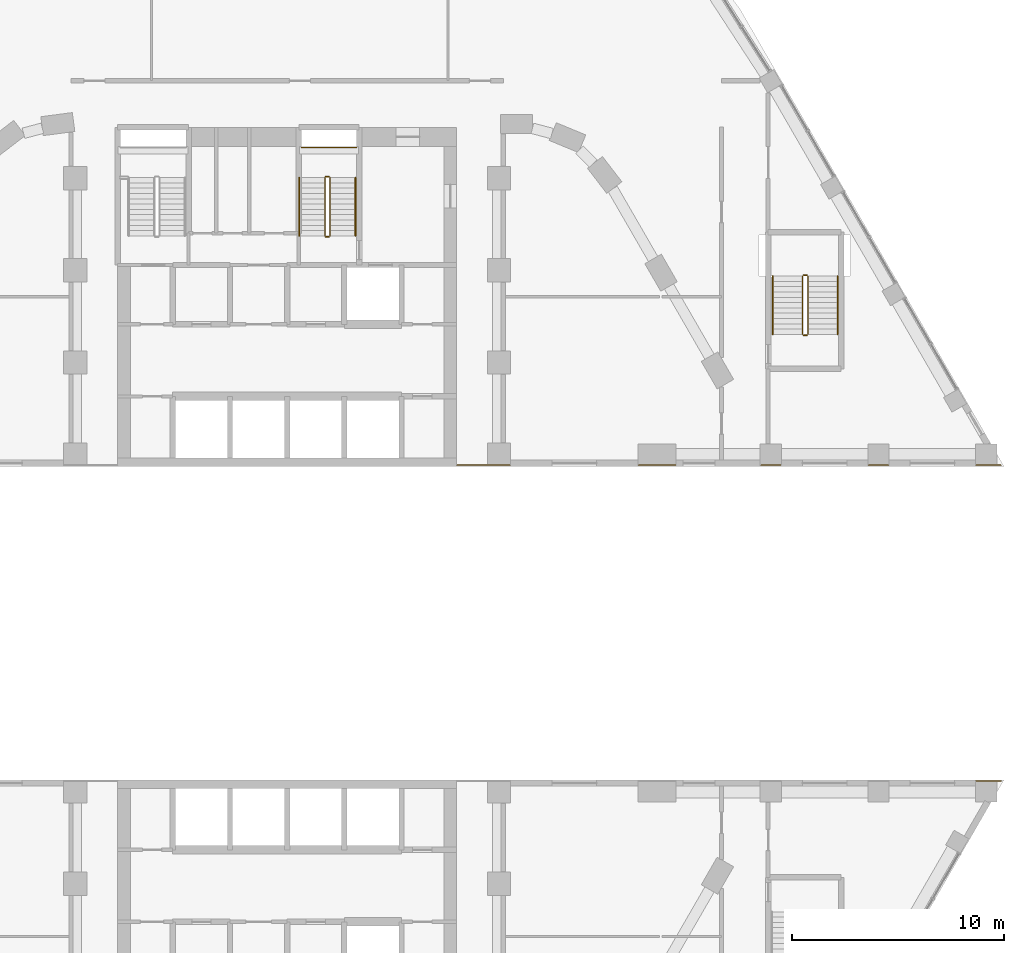
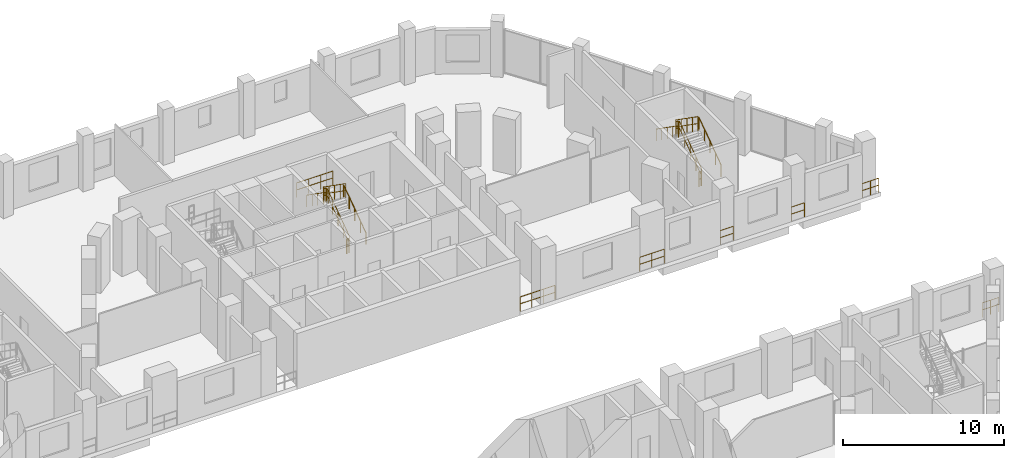
# One storey, part 22 of 22: 19 railings.
"""IFC4 building model written with IfcOpenShell, lengths in metres."""

from ifc_helpers import new_model, si_unit, direction, frame, origin, origin_2d, place, context, subcontext, project, spatial, circle, extrude, material, type_object, element, save


model = new_model("IFC4")

# Units and contexts
model_context = context("Model", 3, precision=1e-05, world=origin(), true_north=direction((0.0, 1.0)))
body_context = subcontext(model_context, "Body", "Model", "MODEL_VIEW")
ifc_project = project(units=[si_unit("LENGTHUNIT", "METRE"), si_unit("AREAUNIT", "SQUARE_METRE"), si_unit("VOLUMEUNIT", "CUBIC_METRE"), si_unit("PLANEANGLEUNIT", "RADIAN"), si_unit("MASSUNIT", "GRAM", prefix="KILO")], contexts=[model_context])

# Site, building, storey
site_placement = place(None, origin())
site = spatial("IfcSite", under=ifc_project, at=site_placement, CompositionType="ELEMENT")
building_placement = place(site_placement, origin())
building = spatial("IfcBuilding", under=site, at=building_placement, Name="Nakaniwa Court", CompositionType="ELEMENT")
storey_placement = place(building_placement, frame((0.0, 0.0, 24.0)))
storey = spatial("IfcBuildingStorey", under=building, at=storey_placement, Name="L05", CompositionType="ELEMENT", Elevation=24.0)

# Railings
ifc_material_1 = material(Name="Black powder coated steel guard", Category="steel")
railing_type_1 = type_object("IfcRailingType", Name="Stair guard 1100", PredefinedType="GUARDRAIL", material=ifc_material_1)
railing_1_placement = place(storey_placement, frame((82.02490234375, 98.27490234375, 0.175048828125)))
element("IfcRailing", 1, at=railing_1_placement, inside=storey, type_object=railing_type_1, Name="L05 ST2 stair guard 1", PredefinedType="GUARDRAIL", context=body_context, shape_type="SweptSolid", body=[
    extrude(circle(Radius=0.02392578125, at=origin_2d()), frame((0.0, 0.0, 1.076171875), z_axis=(0.0, 0.819225086817, 0.573472106672), x_axis=(-1.0, 0.0, 0.0)), (0.0, 0.0, 1.0), 3.35693359375),
    extrude(circle(Radius=0.02392578125, at=origin_2d()), frame((0.0, 0.0, 0.550048828125), z_axis=(0.0, 0.819225086817, 0.573472106672), x_axis=(-1.0, 0.0, 0.0)), (0.0, 0.0, 1.0), 3.35693359375),
    extrude(circle(Radius=0.02099609375, at=origin_2d()), origin(), (0.0, 0.0, 1.0), 1.052001953125),
    extrude(circle(Radius=0.02099609375, at=origin_2d()), frame((0.0, 0.6875, 0.481201171875)), (0.0, 0.0, 1.0), 1.052001953125),
    extrude(circle(Radius=0.02099609375, at=origin_2d()), frame((0.0, 1.375, 0.96240234375)), (0.0, 0.0, 1.0), 1.052001953125),
    extrude(circle(Radius=0.02099609375, at=origin_2d()), frame((0.0, 2.0625, 1.44384765625)), (0.0, 0.0, 1.0), 1.052001953125),
    extrude(circle(Radius=0.02099609375, at=origin_2d()), frame((0.0, 2.75, 1.925048828125)), (0.0, 0.0, 1.0), 1.052001953125),
])
railing_2_placement = place(storey_placement, frame((81.97509765625, 101.074951171875, 2.10009765625)))
element("IfcRailing", 2, at=railing_2_placement, inside=storey, type_object=railing_type_1, Name="L05 ST2 stair guard 2", PredefinedType="GUARDRAIL", context=body_context, shape_type="SweptSolid", body=[
    extrude(circle(Radius=0.02392578125, at=origin_2d()), frame((0.0, 0.0, 1.076171875), z_axis=(-1.0, 0.0, 0.0), x_axis=(0.0, -1.0, 0.0)), (0.0, 0.0, 1.0), 0.150146484375),
    extrude(circle(Radius=0.02392578125, at=origin_2d()), frame((0.0, 0.0, 0.550048828125), z_axis=(-1.0, 0.0, 0.0), x_axis=(0.0, -1.0, 0.0)), (0.0, 0.0, 1.0), 0.150146484375),
    extrude(circle(Radius=0.02099609375, at=origin_2d()), origin(), (0.0, 0.0, 1.0), 1.052001953125),
    extrude(circle(Radius=0.02099609375, at=origin_2d()), frame((-0.150146484375, 0.0, 0.0)), (0.0, 0.0, 1.0), 1.052001953125),
])
railing_3_placement = place(storey_placement, frame((81.77490234375, 101.02490234375, 2.27490234375)))
element("IfcRailing", 3, at=railing_3_placement, inside=storey, type_object=railing_type_1, Name="L05 ST2 stair guard 3", PredefinedType="GUARDRAIL", context=body_context, shape_type="SweptSolid", body=[
    extrude(circle(Radius=0.02392578125, at=origin_2d()), frame((0.0, 0.0, 1.076171875), z_axis=(0.0, -0.819225086817, 0.573472106672), x_axis=(1.0, 0.0, 0.0)), (0.0, 0.0, 1.0), 3.35693359375),
    extrude(circle(Radius=0.02392578125, at=origin_2d()), frame((0.0, 0.0, 0.550048828125), z_axis=(0.0, -0.819225086817, 0.573472106672), x_axis=(1.0, 0.0, 0.0)), (0.0, 0.0, 1.0), 3.35693359375),
    extrude(circle(Radius=0.02099609375, at=origin_2d()), origin(), (0.0, 0.0, 1.0), 1.052001953125),
    extrude(circle(Radius=0.02099609375, at=origin_2d()), frame((0.0, -0.6875, 0.481201171875)), (0.0, 0.0, 1.0), 1.052001953125),
    extrude(circle(Radius=0.02099609375, at=origin_2d()), frame((0.0, -1.375, 0.96240234375)), (0.0, 0.0, 1.0), 1.052001953125),
    extrude(circle(Radius=0.02099609375, at=origin_2d()), frame((0.0, -2.0625, 1.44384765625)), (0.0, 0.0, 1.0), 1.052001953125),
    extrude(circle(Radius=0.02099609375, at=origin_2d()), frame((0.0, -2.75, 1.925048828125)), (0.0, 0.0, 1.0), 1.052001953125),
])
railing_4_placement = place(storey_placement, frame((81.97509765625, 98.22509765625, 0.0)))
element("IfcRailing", 4, at=railing_4_placement, inside=storey, type_object=railing_type_1, Name="L05 ST2 stair guard 4", PredefinedType="GUARDRAIL", context=body_context, shape_type="SweptSolid", body=[
    extrude(circle(Radius=0.02392578125, at=origin_2d()), frame((0.0, 0.0, 1.076171875), z_axis=(-1.0, 0.0, 0.0), x_axis=(0.0, -1.0, 0.0)), (0.0, 0.0, 1.0), 0.150146484375),
    extrude(circle(Radius=0.02392578125, at=origin_2d()), frame((0.0, 0.0, 0.550048828125), z_axis=(-1.0, 0.0, 0.0), x_axis=(0.0, -1.0, 0.0)), (0.0, 0.0, 1.0), 0.150146484375),
    extrude(circle(Radius=0.02099609375, at=origin_2d()), origin(), (0.0, 0.0, 1.0), 1.052001953125),
    extrude(circle(Radius=0.02099609375, at=origin_2d()), frame((-0.150146484375, 0.0, 0.0)), (0.0, 0.0, 1.0), 1.052001953125),
])
railing_5_placement = place(storey_placement, frame((80.675048828125, 102.449951171875, 2.10009765625)))
element("IfcRailing", 5, at=railing_5_placement, inside=storey, type_object=railing_type_1, Name="L05 ST2 landing end guard 1", PredefinedType="GUARDRAIL", context=body_context, shape_type="SweptSolid", body=[
    extrude(circle(Radius=0.02392578125, at=origin_2d()), frame((0.0, 0.0, 1.076171875), z_axis=(1.0, 0.0, 0.0), x_axis=(0.0, 1.0, 0.0)), (0.0, 0.0, 1.0), 2.599853515625),
    extrude(circle(Radius=0.02392578125, at=origin_2d()), frame((0.0, 0.0, 0.550048828125), z_axis=(1.0, 0.0, 0.0), x_axis=(0.0, 1.0, 0.0)), (0.0, 0.0, 1.0), 2.599853515625),
    extrude(circle(Radius=0.02099609375, at=origin_2d()), origin(), (0.0, 0.0, 1.0), 1.052001953125),
    extrude(circle(Radius=0.02099609375, at=origin_2d()), frame((0.86669921875, 0.0, 0.0)), (0.0, 0.0, 1.0), 1.052001953125),
    extrude(circle(Radius=0.02099609375, at=origin_2d()), frame((1.733154296875, 0.0, 0.0)), (0.0, 0.0, 1.0), 1.052001953125),
    extrude(circle(Radius=0.02099609375, at=origin_2d()), frame((2.599853515625, 0.0, 0.0)), (0.0, 0.0, 1.0), 1.052001953125),
])
railing_6_placement = place(storey_placement, frame((104.574951171875, 93.625, 0.175048828125)))
element("IfcRailing", 6, at=railing_6_placement, inside=storey, type_object=railing_type_1, Name="L05 SS1 stair guard 1", PredefinedType="GUARDRAIL", context=body_context, shape_type="SweptSolid", body=[
    extrude(circle(Radius=0.02392578125, at=origin_2d()), frame((0.0, 0.0, 1.076171875), z_axis=(0.0, 0.819225086817, 0.573472106672), x_axis=(-1.0, 0.0, 0.0)), (0.0, 0.0, 1.0), 3.35693359375),
    extrude(circle(Radius=0.02392578125, at=origin_2d()), frame((0.0, 0.0, 0.550048828125), z_axis=(0.0, 0.819225086817, 0.573472106672), x_axis=(-1.0, 0.0, 0.0)), (0.0, 0.0, 1.0), 3.35693359375),
    extrude(circle(Radius=0.02099609375, at=origin_2d()), origin(), (0.0, 0.0, 1.0), 1.052001953125),
    extrude(circle(Radius=0.02099609375, at=origin_2d()), frame((0.0, 0.6875, 0.481201171875)), (0.0, 0.0, 1.0), 1.052001953125),
    extrude(circle(Radius=0.02099609375, at=origin_2d()), frame((0.0, 1.375, 0.96240234375)), (0.0, 0.0, 1.0), 1.052001953125),
    extrude(circle(Radius=0.02099609375, at=origin_2d()), frame((0.0, 2.0625, 1.44384765625)), (0.0, 0.0, 1.0), 1.052001953125),
    extrude(circle(Radius=0.02099609375, at=origin_2d()), frame((0.0, 2.75, 1.925048828125)), (0.0, 0.0, 1.0), 1.052001953125),
])
railing_7_placement = place(storey_placement, frame((104.52490234375, 96.425048828125, 2.10009765625)))
element("IfcRailing", 7, at=railing_7_placement, inside=storey, type_object=railing_type_1, Name="L05 SS1 stair guard 2", PredefinedType="GUARDRAIL", context=body_context, shape_type="SweptSolid", body=[
    extrude(circle(Radius=0.02392578125, at=origin_2d()), frame((0.0, 0.0, 1.076171875), z_axis=(-1.0, 0.0, 0.0), x_axis=(0.0, -1.0, 0.0)), (0.0, 0.0, 1.0), 0.14990234375),
    extrude(circle(Radius=0.02392578125, at=origin_2d()), frame((0.0, 0.0, 0.550048828125), z_axis=(-1.0, 0.0, 0.0), x_axis=(0.0, -1.0, 0.0)), (0.0, 0.0, 1.0), 0.14990234375),
    extrude(circle(Radius=0.02099609375, at=origin_2d()), origin(), (0.0, 0.0, 1.0), 1.052001953125),
    extrude(circle(Radius=0.02099609375, at=origin_2d()), frame((-0.14990234375, 0.0, 0.0)), (0.0, 0.0, 1.0), 1.052001953125),
])
railing_8_placement = place(storey_placement, frame((104.324951171875, 96.375, 2.27490234375)))
element("IfcRailing", 8, at=railing_8_placement, inside=storey, type_object=railing_type_1, Name="L05 SS1 stair guard 3", PredefinedType="GUARDRAIL", context=body_context, shape_type="SweptSolid", body=[
    extrude(circle(Radius=0.02392578125, at=origin_2d()), frame((0.0, 0.0, 1.076171875), z_axis=(0.0, -0.819225086817, 0.573472106672), x_axis=(1.0, 0.0, 0.0)), (0.0, 0.0, 1.0), 3.35693359375),
    extrude(circle(Radius=0.02392578125, at=origin_2d()), frame((0.0, 0.0, 0.550048828125), z_axis=(0.0, -0.819225086817, 0.573472106672), x_axis=(1.0, 0.0, 0.0)), (0.0, 0.0, 1.0), 3.35693359375),
    extrude(circle(Radius=0.02099609375, at=origin_2d()), origin(), (0.0, 0.0, 1.0), 1.052001953125),
    extrude(circle(Radius=0.02099609375, at=origin_2d()), frame((0.0, -0.6875, 0.481201171875)), (0.0, 0.0, 1.0), 1.052001953125),
    extrude(circle(Radius=0.02099609375, at=origin_2d()), frame((0.0, -1.375, 0.96240234375)), (0.0, 0.0, 1.0), 1.052001953125),
    extrude(circle(Radius=0.02099609375, at=origin_2d()), frame((0.0, -2.0625, 1.44384765625)), (0.0, 0.0, 1.0), 1.052001953125),
    extrude(circle(Radius=0.02099609375, at=origin_2d()), frame((0.0, -2.75, 1.925048828125)), (0.0, 0.0, 1.0), 1.052001953125),
])
railing_9_placement = place(storey_placement, frame((104.52490234375, 93.574951171875, 0.0)))
element("IfcRailing", 9, at=railing_9_placement, inside=storey, type_object=railing_type_1, Name="L05 SS1 stair guard 4", PredefinedType="GUARDRAIL", context=body_context, shape_type="SweptSolid", body=[
    extrude(circle(Radius=0.02392578125, at=origin_2d()), frame((0.0, 0.0, 1.076171875), z_axis=(-1.0, 0.0, 0.0), x_axis=(0.0, -1.0, 0.0)), (0.0, 0.0, 1.0), 0.14990234375),
    extrude(circle(Radius=0.02392578125, at=origin_2d()), frame((0.0, 0.0, 0.550048828125), z_axis=(-1.0, 0.0, 0.0), x_axis=(0.0, -1.0, 0.0)), (0.0, 0.0, 1.0), 0.14990234375),
    extrude(circle(Radius=0.02099609375, at=origin_2d()), origin(), (0.0, 0.0, 1.0), 1.052001953125),
    extrude(circle(Radius=0.02099609375, at=origin_2d()), frame((-0.14990234375, 0.0, 0.0)), (0.0, 0.0, 1.0), 1.052001953125),
])
railing_10_placement = place(storey_placement, frame((112.513916015625, 72.550048828125, 0.0)))
element("IfcRailing", 10, at=railing_10_placement, inside=storey, type_object=railing_type_1, Name="GUARD GD-L05-090", PredefinedType="GUARDRAIL", context=body_context, shape_type="SweptSolid", body=[
    extrude(circle(Radius=0.02392578125, at=origin_2d()), frame((0.0, 0.0, 1.076171875), z_axis=(1.0, 0.0, 0.0), x_axis=(0.0, 1.0, 0.0)), (0.0, 0.0, 1.0), 1.18896484375),
    extrude(circle(Radius=0.02392578125, at=origin_2d()), frame((0.0, 0.0, 0.550048828125), z_axis=(1.0, 0.0, 0.0), x_axis=(0.0, 1.0, 0.0)), (0.0, 0.0, 1.0), 1.18896484375),
    extrude(circle(Radius=0.02099609375, at=origin_2d()), origin(), (0.0, 0.0, 1.0), 1.052001953125),
    extrude(circle(Radius=0.02099609375, at=origin_2d()), frame((0.594482421875, 0.0, 0.0)), (0.0, 0.0, 1.0), 1.052001953125),
    extrude(circle(Radius=0.02099609375, at=origin_2d()), frame((1.18896484375, 0.0, 0.0)), (0.0, 0.0, 1.0), 1.052001953125),
])
railing_11_placement = place(storey_placement, frame((113.702880859375, 87.449951171875, 0.0)))
element("IfcRailing", 11, at=railing_11_placement, inside=storey, type_object=railing_type_1, Name="GUARD GD-L05-091", PredefinedType="GUARDRAIL", context=body_context, shape_type="SweptSolid", body=[
    extrude(circle(Radius=0.02392578125, at=origin_2d()), frame((0.0, 0.0, 1.076171875), z_axis=(-1.0, 0.0, 0.0), x_axis=(0.0, -1.0, 0.0)), (0.0, 0.0, 1.0), 1.18896484375),
    extrude(circle(Radius=0.02392578125, at=origin_2d()), frame((0.0, 0.0, 0.550048828125), z_axis=(-1.0, 0.0, 0.0), x_axis=(0.0, -1.0, 0.0)), (0.0, 0.0, 1.0), 1.18896484375),
    extrude(circle(Radius=0.02099609375, at=origin_2d()), origin(), (0.0, 0.0, 1.0), 1.052001953125),
    extrude(circle(Radius=0.02099609375, at=origin_2d()), frame((-0.594482421875, 0.0, 0.0)), (0.0, 0.0, 1.0), 1.052001953125),
    extrude(circle(Radius=0.02099609375, at=origin_2d()), frame((-1.18896484375, 0.0, 0.0)), (0.0, 0.0, 1.0), 1.052001953125),
])
railing_12_placement = place(storey_placement, frame((108.389892578125, 87.449951171875, 0.0)))
element("IfcRailing", 12, at=railing_12_placement, inside=storey, type_object=railing_type_1, Name="GUARD GD-L05-092", PredefinedType="GUARDRAIL", context=body_context, shape_type="SweptSolid", body=[
    extrude(circle(Radius=0.02392578125, at=origin_2d()), frame((0.0, 0.0, 1.076171875), z_axis=(-1.0, 0.0, 0.0), x_axis=(0.0, -1.0, 0.0)), (0.0, 0.0, 1.0), 0.95947265625),
    extrude(circle(Radius=0.02392578125, at=origin_2d()), frame((0.0, 0.0, 0.550048828125), z_axis=(-1.0, 0.0, 0.0), x_axis=(0.0, -1.0, 0.0)), (0.0, 0.0, 1.0), 0.95947265625),
    extrude(circle(Radius=0.02099609375, at=origin_2d()), origin(), (0.0, 0.0, 1.0), 1.052001953125),
    extrude(circle(Radius=0.02099609375, at=origin_2d()), frame((-0.95947265625, 0.0, 0.0)), (0.0, 0.0, 1.0), 1.052001953125),
])
railing_13_placement = place(storey_placement, frame((103.296142578125, 87.449951171875, 0.0)))
element("IfcRailing", 13, at=railing_13_placement, inside=storey, type_object=railing_type_1, Name="GUARD GD-L05-093", PredefinedType="GUARDRAIL", context=body_context, shape_type="SweptSolid", body=[
    extrude(circle(Radius=0.02392578125, at=origin_2d()), frame((0.0, 0.0, 1.076171875), z_axis=(-1.0, 0.0, 0.0), x_axis=(0.0, -1.0, 0.0)), (0.0, 0.0, 1.0), 0.939453125),
    extrude(circle(Radius=0.02392578125, at=origin_2d()), frame((0.0, 0.0, 0.550048828125), z_axis=(-1.0, 0.0, 0.0), x_axis=(0.0, -1.0, 0.0)), (0.0, 0.0, 1.0), 0.939453125),
    extrude(circle(Radius=0.02099609375, at=origin_2d()), origin(), (0.0, 0.0, 1.0), 1.052001953125),
    extrude(circle(Radius=0.02099609375, at=origin_2d()), frame((-0.939453125, 0.0, 0.0)), (0.0, 0.0, 1.0), 1.052001953125),
])
railing_14_placement = place(storey_placement, frame((98.34228515625, 87.449951171875, 0.0)))
element("IfcRailing", 14, at=railing_14_placement, inside=storey, type_object=railing_type_1, Name="GUARD GD-L05-094", PredefinedType="GUARDRAIL", context=body_context, shape_type="SweptSolid", body=[
    extrude(circle(Radius=0.02392578125, at=origin_2d()), frame((0.0, 0.0, 1.076171875), z_axis=(-1.0, 0.0, 0.0), x_axis=(0.0, -1.0, 0.0)), (0.0, 0.0, 1.0), 1.768310546875),
    extrude(circle(Radius=0.02392578125, at=origin_2d()), frame((0.0, 0.0, 0.550048828125), z_axis=(-1.0, 0.0, 0.0), x_axis=(0.0, -1.0, 0.0)), (0.0, 0.0, 1.0), 1.768310546875),
    extrude(circle(Radius=0.02099609375, at=origin_2d()), origin(), (0.0, 0.0, 1.0), 1.052001953125),
    extrude(circle(Radius=0.02099609375, at=origin_2d()), frame((-0.88427734375, 0.0, 0.0)), (0.0, 0.0, 1.0), 1.052001953125),
    extrude(circle(Radius=0.02099609375, at=origin_2d()), frame((-1.768310546875, 0.0, 0.0)), (0.0, 0.0, 1.0), 1.052001953125),
])
railing_15_placement = place(storey_placement, frame((90.52197265625, 87.449951171875, 0.0)))
element("IfcRailing", 15, at=railing_15_placement, inside=storey, type_object=railing_type_1, Name="GUARD GD-L05-095", PredefinedType="GUARDRAIL", context=body_context, shape_type="SweptSolid", body=[
    extrude(circle(Radius=0.02392578125, at=origin_2d()), frame((0.0, 0.0, 1.076171875), z_axis=(-1.0, 0.0, 0.0), x_axis=(0.0, -1.0, 0.0)), (0.0, 0.0, 1.0), 2.507080078125),
    extrude(circle(Radius=0.02392578125, at=origin_2d()), frame((0.0, 0.0, 0.550048828125), z_axis=(-1.0, 0.0, 0.0), x_axis=(0.0, -1.0, 0.0)), (0.0, 0.0, 1.0), 2.507080078125),
    extrude(circle(Radius=0.02099609375, at=origin_2d()), origin(), (0.0, 0.0, 1.0), 1.052001953125),
    extrude(circle(Radius=0.02099609375, at=origin_2d()), frame((-0.835693359375, 0.0, 0.0)), (0.0, 0.0, 1.0), 1.052001953125),
    extrude(circle(Radius=0.02099609375, at=origin_2d()), frame((-1.67138671875, 0.0, 0.0)), (0.0, 0.0, 1.0), 1.052001953125),
    extrude(circle(Radius=0.02099609375, at=origin_2d()), frame((-2.507080078125, 0.0, 0.0)), (0.0, 0.0, 1.0), 1.052001953125),
])
ifc_material_2 = material(Name="Black powder coated steel handrail", Category="steel")
railing_type_2 = type_object("IfcRailingType", Name="Stair handrail 900", PredefinedType="HANDRAIL", material=ifc_material_2)
railing_16_placement = place(storey_placement, frame((83.22509765625, 98.27490234375, 0.175048828125)))
element("IfcRailing", 16, at=railing_16_placement, inside=storey, type_object=railing_type_2, Name="L05 ST2 stair handrail 1", PredefinedType="HANDRAIL", context=body_context, shape_type="SweptSolid", body=[
    extrude(circle(Radius=0.02392578125, at=origin_2d()), frame((0.0, 0.0, 0.8759765625), z_axis=(0.0, 0.819225086817, 0.573472106672), x_axis=(-1.0, 0.0, 0.0)), (0.0, 0.0, 1.0), 3.35693359375),
    extrude(circle(Radius=0.02099609375, at=origin_2d()), origin(), (0.0, 0.0, 1.0), 0.851806640625),
    extrude(circle(Radius=0.02099609375, at=origin_2d()), frame((0.0, 0.6875, 0.481201171875)), (0.0, 0.0, 1.0), 0.851806640625),
    extrude(circle(Radius=0.02099609375, at=origin_2d()), frame((0.0, 1.375, 0.96240234375)), (0.0, 0.0, 1.0), 0.851806640625),
    extrude(circle(Radius=0.02099609375, at=origin_2d()), frame((0.0, 2.0625, 1.44384765625)), (0.0, 0.0, 1.0), 0.851806640625),
    extrude(circle(Radius=0.02099609375, at=origin_2d()), frame((0.0, 2.75, 1.925048828125)), (0.0, 0.0, 1.0), 0.851806640625),
])
railing_17_placement = place(storey_placement, frame((80.574951171875, 101.02490234375, 2.27490234375)))
element("IfcRailing", 17, at=railing_17_placement, inside=storey, type_object=railing_type_2, Name="L05 ST2 stair handrail 2", PredefinedType="HANDRAIL", context=body_context, shape_type="SweptSolid", body=[
    extrude(circle(Radius=0.02392578125, at=origin_2d()), frame((0.0, 0.0, 0.8759765625), z_axis=(0.0, -0.819225086817, 0.573472106672), x_axis=(1.0, 0.0, 0.0)), (0.0, 0.0, 1.0), 3.35693359375),
    extrude(circle(Radius=0.02099609375, at=origin_2d()), origin(), (0.0, 0.0, 1.0), 0.851806640625),
    extrude(circle(Radius=0.02099609375, at=origin_2d()), frame((0.0, -0.6875, 0.481201171875)), (0.0, 0.0, 1.0), 0.851806640625),
    extrude(circle(Radius=0.02099609375, at=origin_2d()), frame((0.0, -1.375, 0.96240234375)), (0.0, 0.0, 1.0), 0.851806640625),
    extrude(circle(Radius=0.02099609375, at=origin_2d()), frame((0.0, -2.0625, 1.44384765625)), (0.0, 0.0, 1.0), 0.851806640625),
    extrude(circle(Radius=0.02099609375, at=origin_2d()), frame((0.0, -2.75, 1.925048828125)), (0.0, 0.0, 1.0), 0.851806640625),
])
railing_18_placement = place(storey_placement, frame((105.97509765625, 93.625, 0.175048828125)))
element("IfcRailing", 18, at=railing_18_placement, inside=storey, type_object=railing_type_2, Name="L05 SS1 stair handrail 1", PredefinedType="HANDRAIL", context=body_context, shape_type="SweptSolid", body=[
    extrude(circle(Radius=0.02392578125, at=origin_2d()), frame((0.0, 0.0, 0.8759765625), z_axis=(0.0, 0.819225086817, 0.573472106672), x_axis=(-1.0, 0.0, 0.0)), (0.0, 0.0, 1.0), 3.35693359375),
    extrude(circle(Radius=0.02099609375, at=origin_2d()), origin(), (0.0, 0.0, 1.0), 0.851806640625),
    extrude(circle(Radius=0.02099609375, at=origin_2d()), frame((0.0, 0.6875, 0.481201171875)), (0.0, 0.0, 1.0), 0.851806640625),
    extrude(circle(Radius=0.02099609375, at=origin_2d()), frame((0.0, 1.375, 0.96240234375)), (0.0, 0.0, 1.0), 0.851806640625),
    extrude(circle(Radius=0.02099609375, at=origin_2d()), frame((0.0, 2.0625, 1.44384765625)), (0.0, 0.0, 1.0), 0.851806640625),
    extrude(circle(Radius=0.02099609375, at=origin_2d()), frame((0.0, 2.75, 1.925048828125)), (0.0, 0.0, 1.0), 0.851806640625),
])
railing_19_placement = place(storey_placement, frame((102.925048828125, 96.375, 2.27490234375)))
element("IfcRailing", 19, at=railing_19_placement, inside=storey, type_object=railing_type_2, Name="L05 SS1 stair handrail 2", PredefinedType="HANDRAIL", context=body_context, shape_type="SweptSolid", body=[
    extrude(circle(Radius=0.02392578125, at=origin_2d()), frame((0.0, 0.0, 0.8759765625), z_axis=(0.0, -0.819225086817, 0.573472106672), x_axis=(1.0, 0.0, 0.0)), (0.0, 0.0, 1.0), 3.35693359375),
    extrude(circle(Radius=0.02099609375, at=origin_2d()), origin(), (0.0, 0.0, 1.0), 0.851806640625),
    extrude(circle(Radius=0.02099609375, at=origin_2d()), frame((0.0, -0.6875, 0.481201171875)), (0.0, 0.0, 1.0), 0.851806640625),
    extrude(circle(Radius=0.02099609375, at=origin_2d()), frame((0.0, -1.375, 0.96240234375)), (0.0, 0.0, 1.0), 0.851806640625),
    extrude(circle(Radius=0.02099609375, at=origin_2d()), frame((0.0, -2.0625, 1.44384765625)), (0.0, 0.0, 1.0), 0.851806640625),
    extrude(circle(Radius=0.02099609375, at=origin_2d()), frame((0.0, -2.75, 1.925048828125)), (0.0, 0.0, 1.0), 0.851806640625),
])

save(model, "model.ifc")
